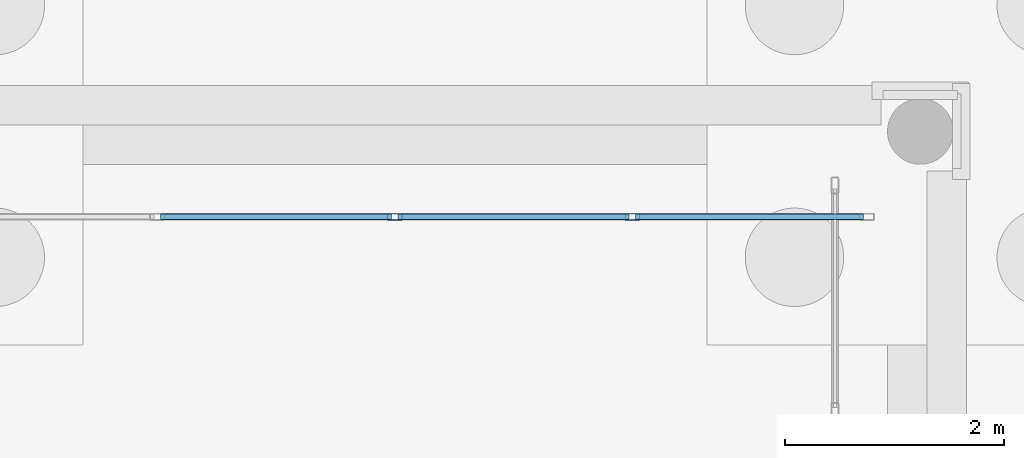
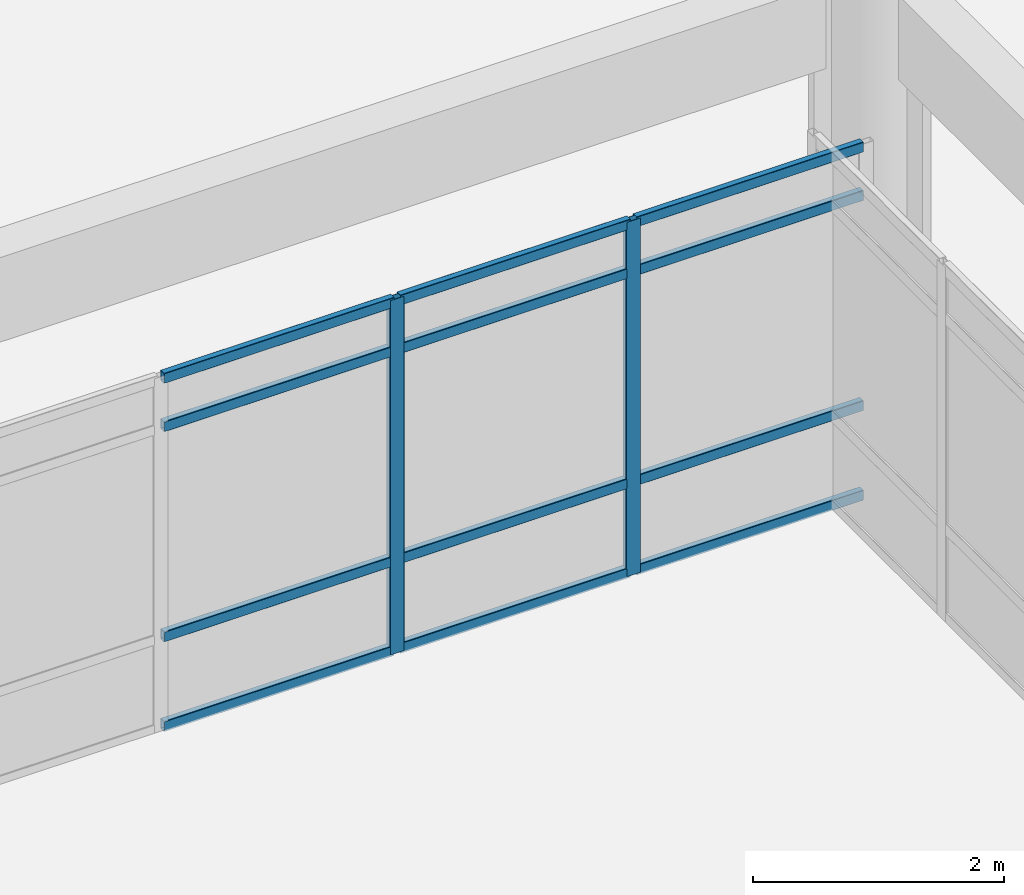
# One storey, part 77 of 196: 14 members, 1 element without a shape of its own.
"""IFC4 building model written with IfcOpenShell, lengths in metres."""

from ifc_helpers import new_model, si_unit, direction, frame, origin, origin_2d, place, context, subcontext, project, spatial, hollow_rectangle, extrude, material, layer, layer_set, material_profile, profile_set, type_object, element, aggregate, save


model = new_model("IFC4")

# Units and contexts
model_context = context("Model", 3, precision=1e-05, world=origin(), true_north=direction((0.0, 1.0)))
body_context = subcontext(model_context, "Body", "Model", "MODEL_VIEW")
ifc_project = project(units=[si_unit("LENGTHUNIT", "METRE"), si_unit("AREAUNIT", "SQUARE_METRE"), si_unit("VOLUMEUNIT", "CUBIC_METRE"), si_unit("PLANEANGLEUNIT", "RADIAN"), si_unit("MASSUNIT", "GRAM", prefix="KILO")], contexts=[model_context])

# Site, building, storey
site_placement = place(None, origin())
site = spatial("IfcSite", under=ifc_project, at=site_placement, CompositionType="ELEMENT")
building_placement = place(site_placement, origin())
building = spatial("IfcBuilding", under=site, at=building_placement, Name="Asteropetra Specialist Clinic", CompositionType="ELEMENT")
storey_placement = place(building_placement, origin())
storey = spatial("IfcBuildingStorey", under=building, at=storey_placement, Name="L00", CompositionType="ELEMENT", Elevation=0.0)

# Curtain wall, members
ifc_material_1 = material(Name="Aluminium and low-E glass", Category="aluminium")
ifc_layer = layer(ifc_material_1, 0.14990234375)
ifc_layer_set = layer_set([ifc_layer], Name="Aluminium and low-E glass")
curtain_wall_type = type_object("IfcCurtainWallType", Name="CW-SYS-11", PredefinedType="USERDEFINED", material=ifc_layer_set)
curtain_wall_placement = place(storey_placement, origin())
curtain_wall = element("IfcCurtainWall", 1, at=curtain_wall_placement, inside=storey, type_object=curtain_wall_type, Name="Curtain Wall CW-167", ObjectType="STICK GLAZED COLONNADE", PredefinedType="USERDEFINED")
ifc_material_2 = material(Name="Aluminium 6063-T6", Category="aluminium")
ifc_material_profile_1 = material_profile(ifc_material_2, hollow_rectangle(XDim=0.06005859375, YDim=0.135009765625, WallThickness=0.00341796875, InnerFilletRadius=0.00341796875, OuterFilletRadius=0.007080078125, at=origin_2d()), Name="MUL 135x60x3.5")
ifc_profile_set_1 = profile_set([ifc_material_profile_1], Name="Aluminium 6063-T6")
member_type_1 = type_object("IfcMemberType", Name="CWM-135x60", PredefinedType="MULLION", material=ifc_profile_set_1)
member_1_placement = place(storey_placement, frame((93.3701171875, 61.6201171875, 0.0), z_axis=(0.0, 0.0, 1.0), x_axis=(0.0, -1.0, 0.0)))
member_1 = element("IfcMember", 2, at=member_1_placement, type_object=member_type_1, Name="CW-167 mullion 2", PredefinedType="MULLION", context=body_context, shape_type="SweptSolid", body=[
    extrude(hollow_rectangle(XDim=0.06005859375, YDim=0.135009765625, WallThickness=0.00341796875, InnerFilletRadius=0.00341796875, OuterFilletRadius=0.007080078125, at=origin_2d()), origin(), (0.0, 0.0, 1.0), 3.43994140625),
])
member_2_placement = place(storey_placement, frame((91.199951171875, 61.6201171875, 0.0), z_axis=(0.0, 0.0, 1.0), x_axis=(0.0, -1.0, 0.0)))
member_2 = element("IfcMember", 3, at=member_2_placement, type_object=member_type_1, Name="CW-167 mullion 3", PredefinedType="MULLION", context=body_context, shape_type="SweptSolid", body=[
    extrude(hollow_rectangle(XDim=0.06005859375, YDim=0.135009765625, WallThickness=0.00341796875, InnerFilletRadius=0.00341796875, OuterFilletRadius=0.007080078125, at=origin_2d()), origin(), (0.0, 0.0, 1.0), 3.43994140625),
])
ifc_material_3 = material(Name="Aluminium 6063-T6", Category="aluminium")
ifc_material_profile_2 = material_profile(ifc_material_3, hollow_rectangle(XDim=0.06005859375, YDim=0.10009765625, WallThickness=0.00341796875, InnerFilletRadius=0.00341796875, OuterFilletRadius=0.007080078125, at=origin_2d()), Name="TRN 100x60x3.5")
ifc_profile_set_2 = profile_set([ifc_material_profile_2], Name="Aluminium 6063-T6")
member_type_2 = type_object("IfcMemberType", Name="CWT-100x60", PredefinedType="USERDEFINED", material=ifc_profile_set_2)
member_3_placement = place(storey_placement, frame((95.47998046875, 61.6201171875, 0.030029296875), z_axis=(-1.0, 0.0, 0.0), x_axis=(0.0, -1.0, 0.0)))
member_3 = element("IfcMember", 4, at=member_3_placement, type_object=member_type_2, Name="CW-167 transom 1.1", ObjectType="TRANSOM", PredefinedType="USERDEFINED", context=body_context, shape_type="SweptSolid", body=[
    extrude(hollow_rectangle(XDim=0.06005859375, YDim=0.10009765625, WallThickness=0.00341796875, InnerFilletRadius=0.00341796875, OuterFilletRadius=0.007080078125, at=origin_2d()), origin(), (0.0, 0.0, 1.0), 2.080078125),
])
member_4_placement = place(storey_placement, frame((95.47998046875, 61.6201171875, 0.89990234375), z_axis=(-1.0, 0.0, 0.0), x_axis=(0.0, -1.0, 0.0)))
member_4 = element("IfcMember", 5, at=member_4_placement, type_object=member_type_2, Name="CW-167 transom 1.2", ObjectType="TRANSOM", PredefinedType="USERDEFINED", context=body_context, shape_type="SweptSolid", body=[
    extrude(hollow_rectangle(XDim=0.06005859375, YDim=0.10009765625, WallThickness=0.00341796875, InnerFilletRadius=0.00341796875, OuterFilletRadius=0.007080078125, at=origin_2d()), origin(), (0.0, 0.0, 1.0), 2.080078125),
])
member_5_placement = place(storey_placement, frame((95.47998046875, 61.6201171875, 2.93994140625), z_axis=(-1.0, 0.0, 0.0), x_axis=(0.0, -1.0, 0.0)))
member_5 = element("IfcMember", 6, at=member_5_placement, type_object=member_type_2, Name="CW-167 transom 1.3", ObjectType="TRANSOM", PredefinedType="USERDEFINED", context=body_context, shape_type="SweptSolid", body=[
    extrude(hollow_rectangle(XDim=0.06005859375, YDim=0.10009765625, WallThickness=0.00341796875, InnerFilletRadius=0.00341796875, OuterFilletRadius=0.007080078125, at=origin_2d()), origin(), (0.0, 0.0, 1.0), 2.080078125),
])
member_6_placement = place(storey_placement, frame((95.47998046875, 61.6201171875, 3.409912109375), z_axis=(-1.0, 0.0, 0.0), x_axis=(0.0, -1.0, 0.0)))
member_6 = element("IfcMember", 7, at=member_6_placement, type_object=member_type_2, Name="CW-167 transom 1.4", ObjectType="TRANSOM", PredefinedType="USERDEFINED", context=body_context, shape_type="SweptSolid", body=[
    extrude(hollow_rectangle(XDim=0.06005859375, YDim=0.10009765625, WallThickness=0.00341796875, InnerFilletRadius=0.00341796875, OuterFilletRadius=0.007080078125, at=origin_2d()), origin(), (0.0, 0.0, 1.0), 2.080078125),
])
member_7_placement = place(storey_placement, frame((93.340087890625, 61.6201171875, 0.030029296875), z_axis=(-1.0, 0.0, 0.0), x_axis=(0.0, -1.0, 0.0)))
member_7 = element("IfcMember", 8, at=member_7_placement, type_object=member_type_2, Name="CW-167 transom 2.1", ObjectType="TRANSOM", PredefinedType="USERDEFINED", context=body_context, shape_type="SweptSolid", body=[
    extrude(hollow_rectangle(XDim=0.06005859375, YDim=0.10009765625, WallThickness=0.00341796875, InnerFilletRadius=0.00341796875, OuterFilletRadius=0.007080078125, at=origin_2d()), origin(), (0.0, 0.0, 1.0), 2.110107421875),
])
member_8_placement = place(storey_placement, frame((93.340087890625, 61.6201171875, 0.89990234375), z_axis=(-1.0, 0.0, 0.0), x_axis=(0.0, -1.0, 0.0)))
member_8 = element("IfcMember", 9, at=member_8_placement, type_object=member_type_2, Name="CW-167 transom 2.2", ObjectType="TRANSOM", PredefinedType="USERDEFINED", context=body_context, shape_type="SweptSolid", body=[
    extrude(hollow_rectangle(XDim=0.06005859375, YDim=0.10009765625, WallThickness=0.00341796875, InnerFilletRadius=0.00341796875, OuterFilletRadius=0.007080078125, at=origin_2d()), origin(), (0.0, 0.0, 1.0), 2.110107421875),
])
member_9_placement = place(storey_placement, frame((93.340087890625, 61.6201171875, 2.93994140625), z_axis=(-1.0, 0.0, 0.0), x_axis=(0.0, -1.0, 0.0)))
member_9 = element("IfcMember", 10, at=member_9_placement, type_object=member_type_2, Name="CW-167 transom 2.3", ObjectType="TRANSOM", PredefinedType="USERDEFINED", context=body_context, shape_type="SweptSolid", body=[
    extrude(hollow_rectangle(XDim=0.06005859375, YDim=0.10009765625, WallThickness=0.00341796875, InnerFilletRadius=0.00341796875, OuterFilletRadius=0.007080078125, at=origin_2d()), origin(), (0.0, 0.0, 1.0), 2.110107421875),
])
member_10_placement = place(storey_placement, frame((93.340087890625, 61.6201171875, 3.409912109375), z_axis=(-1.0, 0.0, 0.0), x_axis=(0.0, -1.0, 0.0)))
member_10 = element("IfcMember", 11, at=member_10_placement, type_object=member_type_2, Name="CW-167 transom 2.4", ObjectType="TRANSOM", PredefinedType="USERDEFINED", context=body_context, shape_type="SweptSolid", body=[
    extrude(hollow_rectangle(XDim=0.06005859375, YDim=0.10009765625, WallThickness=0.00341796875, InnerFilletRadius=0.00341796875, OuterFilletRadius=0.007080078125, at=origin_2d()), origin(), (0.0, 0.0, 1.0), 2.110107421875),
])
member_11_placement = place(storey_placement, frame((91.169921875, 61.6201171875, 0.030029296875), z_axis=(-1.0, 0.0, 0.0), x_axis=(0.0, -1.0, 0.0)))
member_11 = element("IfcMember", 12, at=member_11_placement, type_object=member_type_2, Name="CW-167 transom 3.1", ObjectType="TRANSOM", PredefinedType="USERDEFINED", context=body_context, shape_type="SweptSolid", body=[
    extrude(hollow_rectangle(XDim=0.06005859375, YDim=0.10009765625, WallThickness=0.00341796875, InnerFilletRadius=0.00341796875, OuterFilletRadius=0.007080078125, at=origin_2d()), origin(), (0.0, 0.0, 1.0), 2.10986328125),
])
member_12_placement = place(storey_placement, frame((91.169921875, 61.6201171875, 0.89990234375), z_axis=(-1.0, 0.0, 0.0), x_axis=(0.0, -1.0, 0.0)))
member_12 = element("IfcMember", 13, at=member_12_placement, type_object=member_type_2, Name="CW-167 transom 3.2", ObjectType="TRANSOM", PredefinedType="USERDEFINED", context=body_context, shape_type="SweptSolid", body=[
    extrude(hollow_rectangle(XDim=0.06005859375, YDim=0.10009765625, WallThickness=0.00341796875, InnerFilletRadius=0.00341796875, OuterFilletRadius=0.007080078125, at=origin_2d()), origin(), (0.0, 0.0, 1.0), 2.10986328125),
])
member_13_placement = place(storey_placement, frame((91.169921875, 61.6201171875, 2.93994140625), z_axis=(-1.0, 0.0, 0.0), x_axis=(0.0, -1.0, 0.0)))
member_13 = element("IfcMember", 14, at=member_13_placement, type_object=member_type_2, Name="CW-167 transom 3.3", ObjectType="TRANSOM", PredefinedType="USERDEFINED", context=body_context, shape_type="SweptSolid", body=[
    extrude(hollow_rectangle(XDim=0.06005859375, YDim=0.10009765625, WallThickness=0.00341796875, InnerFilletRadius=0.00341796875, OuterFilletRadius=0.007080078125, at=origin_2d()), origin(), (0.0, 0.0, 1.0), 2.10986328125),
])
member_14_placement = place(storey_placement, frame((91.169921875, 61.6201171875, 3.409912109375), z_axis=(-1.0, 0.0, 0.0), x_axis=(0.0, -1.0, 0.0)))
member_14 = element("IfcMember", 15, at=member_14_placement, type_object=member_type_2, Name="CW-167 transom 3.4", ObjectType="TRANSOM", PredefinedType="USERDEFINED", context=body_context, shape_type="SweptSolid", body=[
    extrude(hollow_rectangle(XDim=0.06005859375, YDim=0.10009765625, WallThickness=0.00341796875, InnerFilletRadius=0.00341796875, OuterFilletRadius=0.007080078125, at=origin_2d()), origin(), (0.0, 0.0, 1.0), 2.10986328125),
])
aggregate(curtain_wall, [member_1, member_2, member_3, member_4, member_5, member_6, member_7, member_8, member_9, member_10, member_11, member_12, member_13, member_14])

save(model, "model.ifc")
